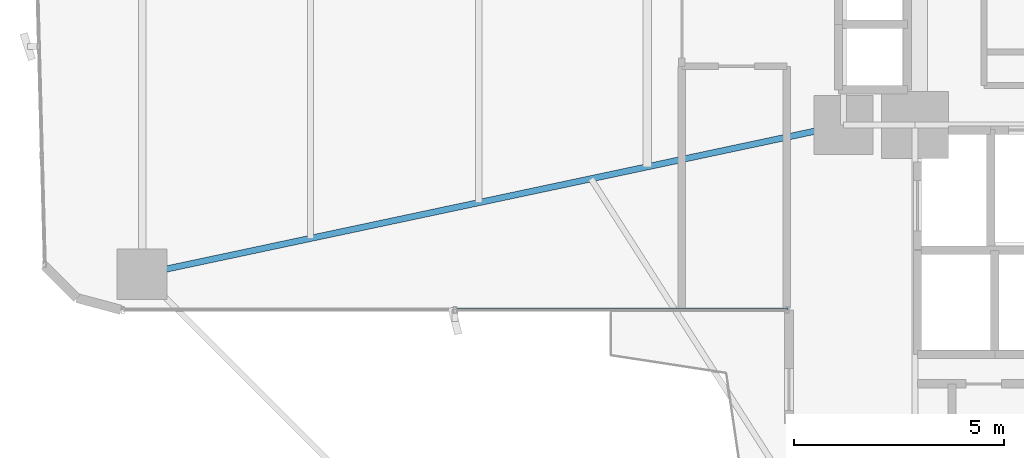
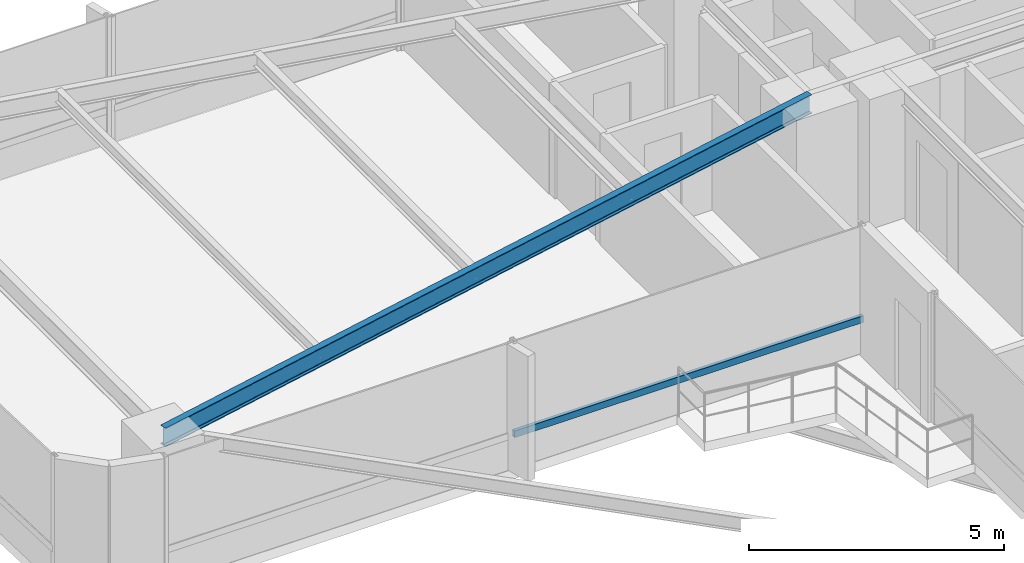
# One storey, part 7 of 25: 1 beam, 1 member, 1 element without a shape of its own.
"""IFC4 building model written with IfcOpenShell, lengths in metres."""

from ifc_helpers import new_model, si_unit, direction, frame, origin, origin_2d, place, context, subcontext, project, spatial, hollow_rectangle, i_section, extrude, source, transform, mapped, material, material_profile, profile_set, type_object, element, aggregate, save


model = new_model("IFC4")

# Units and contexts
model_context = context("Model", 3, precision=1e-05, world=origin(), true_north=direction((0.0, 1.0)))
body_context = subcontext(model_context, "Body", "Model", "MODEL_VIEW")
ifc_project = project(units=[si_unit("LENGTHUNIT", "METRE"), si_unit("AREAUNIT", "SQUARE_METRE"), si_unit("VOLUMEUNIT", "CUBIC_METRE"), si_unit("PLANEANGLEUNIT", "RADIAN"), si_unit("MASSUNIT", "GRAM", prefix="KILO")], contexts=[model_context])

# Site, building, storey
site_placement = place(None, origin())
site = spatial("IfcSite", under=ifc_project, at=site_placement, CompositionType="ELEMENT")
building_placement = place(site_placement, origin())
building = spatial("IfcBuilding", under=site, at=building_placement, Name="Sahyath Konkavel Grand Hotel", CompositionType="ELEMENT")
storey_placement = place(building_placement, frame((0.0, 0.0, 39.85009765625)))
storey = spatial("IfcBuildingStorey", under=building, at=storey_placement, Name="L10", CompositionType="ELEMENT", Elevation=39.85009765625)

# Beam
ifc_material_1 = material(Name="Steel E350", Category="steel")
ifc_material_profile_1 = material_profile(ifc_material_1, i_section(OverallWidth=0.14990234375, OverallDepth=0.449951171875, WebThickness=0.009521484375, FlangeThickness=0.017333984375, FilletRadius=0.014892578125, at=origin_2d()), Name="ISMB 450")
ifc_profile_set_1 = profile_set([ifc_material_profile_1], Name="Steel E350")
beam_type = type_object("IfcBeamType", Name="BM-ISMB450", PredefinedType="BEAM", material=ifc_profile_set_1)
shared_shape_1 = source(origin(), body_context, "Body", "SweptSolid", [
    extrude(i_section(OverallWidth=0.14990234375, OverallDepth=0.449951171875, WebThickness=0.009521484375, FlangeThickness=0.017333984375, FilletRadius=0.014892578125, at=origin_2d()), origin(), (0.0, 0.0, 1.0), 17.072998046875),
])
beam_placement = place(storey_placement, frame((-5.5, -2.39990234375, 2.885009765625), z_axis=(-0.978143257225, -0.20793212437, 0.0), x_axis=(0.20793212437, -0.978143257225, 0.0)))
element("IfcBeam", 1, at=beam_placement, inside=storey, type_object=beam_type, Name="L10 Cruciform Radial Girder WB", PredefinedType="BEAM", context=body_context, shape_type="MappedRepresentation", body=[
    mapped(shared_shape_1, transform((0.0, 0.0, 0.0), scale=1.0)),
])

# Curtain wall, member
ifc_material_2 = material(Name="Anodised Bronze Aluminium & Low-E Glazing", Category="aluminium")
curtain_wall_type = type_object("IfcCurtainWallType", Name="CW-ZONE1", PredefinedType="NOTDEFINED", material=ifc_material_2)
curtain_wall_placement = place(storey_placement, origin())
curtain_wall = element("IfcCurtainWall", 2, at=curtain_wall_placement, inside=storey, type_object=curtain_wall_type, Name="L10 Unitised Curtain Wall F23", PredefinedType="NOTDEFINED")
ifc_material_3 = material(Name="Anodised Bronze Aluminium", Category="aluminium")
ifc_material_profile_2 = material_profile(ifc_material_3, hollow_rectangle(XDim=0.080078125, YDim=0.159912109375, WallThickness=0.006103515625, at=origin_2d()), Name="RHS 160x80x6")
ifc_profile_set_2 = profile_set([ifc_material_profile_2], Name="Anodised Bronze Aluminium")
member_type = type_object("IfcMemberType", Name="CW-TRN-160", PredefinedType="USERDEFINED", material=ifc_profile_set_2)
shared_shape_2 = source(origin(), body_context, "Body", "SweptSolid", [
    extrude(hollow_rectangle(XDim=0.080078125, YDim=0.159912109375, WallThickness=0.006103515625, at=origin_2d()), origin(), (0.0, 0.0, 1.0), 7.909912109375),
])
member_placement = place(storey_placement, frame((-14.75, -6.800048828125, 0.849853515625), z_axis=(1.0, 0.0, 0.0), x_axis=(0.0, 1.0, 0.0)))
member = element("IfcMember", 3, at=member_placement, type_object=member_type, Name="L10 Curtain Wall Transom F23-1-spandrel", ObjectType="TRANSOM", PredefinedType="USERDEFINED", context=body_context, shape_type="MappedRepresentation", body=[
    mapped(shared_shape_2, transform((0.0, 0.0, 0.0), scale=1.0)),
])
aggregate(curtain_wall, [member])

save(model, "model.ifc")
